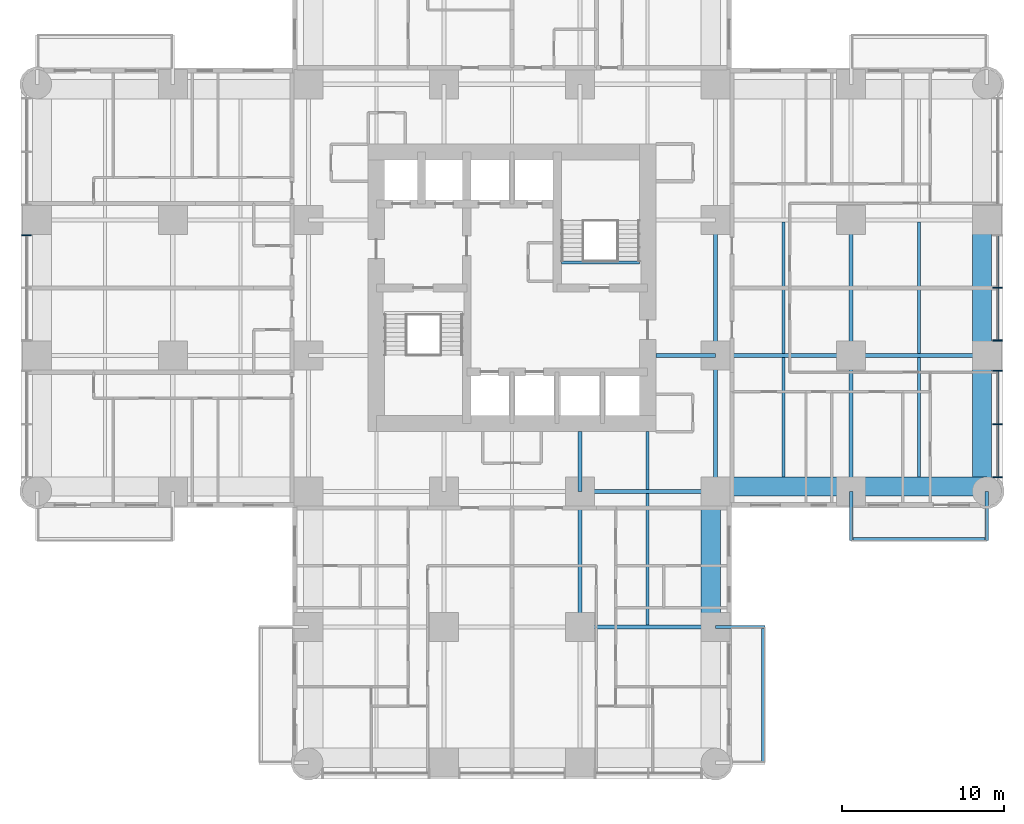
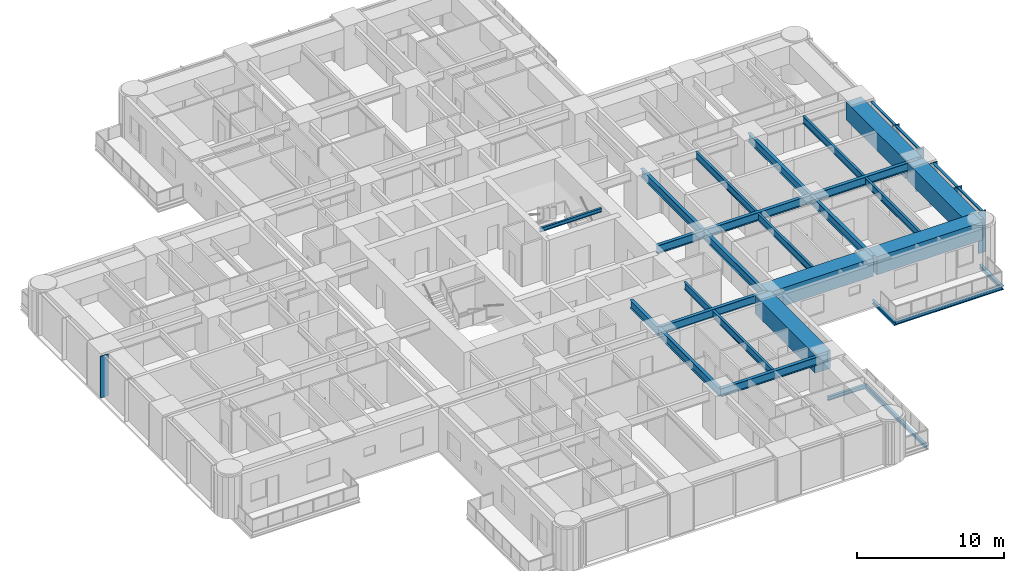
# One storey, part 3 of 17: 28 beams, 10 members, 2 elements without a shape of their own.
"""IFC4 building model written with IfcOpenShell, lengths in metres."""

from ifc_helpers import new_model, si_unit, direction, frame, origin, origin_2d, place, context, subcontext, project, spatial, rectangle, i_section, extrude, material, material_profile, profile_set, type_object, element, aggregate, save


model = new_model("IFC4")

# Units and contexts
model_context = context("Model", 3, precision=1e-05, world=origin(), true_north=direction((0.0, 1.0)))
body_context = subcontext(model_context, "Body", "Model", "MODEL_VIEW")
ifc_project = project(units=[si_unit("LENGTHUNIT", "METRE"), si_unit("AREAUNIT", "SQUARE_METRE"), si_unit("VOLUMEUNIT", "CUBIC_METRE"), si_unit("PLANEANGLEUNIT", "RADIAN"), si_unit("MASSUNIT", "GRAM", prefix="KILO")], contexts=[model_context])

# Site, building, storey
site_placement = place(None, origin())
site = spatial("IfcSite", under=ifc_project, at=site_placement, CompositionType="ELEMENT")
building_placement = place(site_placement, origin())
building = spatial("IfcBuilding", under=site, at=building_placement, Name="Torre Alcanfor", CompositionType="ELEMENT")
storey_placement = place(building_placement, frame((0.0, 0.0, 66.89990234375)))
storey = spatial("IfcBuildingStorey", under=building, at=storey_placement, Name="L16", CompositionType="ELEMENT", Elevation=66.89990234375)

# Beams
ifc_material_1 = material(Name="Steel ASTM A992 Grade 50", Category="steel")
ifc_material_profile_1 = material_profile(ifc_material_1, i_section(OverallWidth=0.205322265625, OverallDepth=0.309814453125, WebThickness=0.00927734375, FlangeThickness=0.016357421875, at=origin_2d()), Name="W12x50")
ifc_profile_set_1 = profile_set([ifc_material_profile_1], Name="Steel ASTM A992 Grade 50")
beam_type_1 = type_object("IfcBeamType", Name="Balcony cantilever beam W12x50", PredefinedType="BEAM", material=ifc_profile_set_1)
for number, where, z_axis, x_axis, name in (
    (1, (50.39990234375, 16.800048828125, -0.354736328125), (0.0, -1.0, 0.0), (1.0, 0.0, 0.0), "Balcony cantilever beam L16-E2 1"),
    (2, (58.800048828125, 16.800048828125, -0.354736328125), (0.0, -1.0, 0.0), (1.0, 0.0, 0.0), "Balcony cantilever beam L16-E2 2"),
    (3, (42.0, 8.39990234375, -0.354736328125), (1.0, 0.0, 0.0), (0.0, 1.0, 0.0), "Balcony cantilever beam L16-S1 1"),
):
    element("IfcBeam", number, at=place(storey_placement, frame(where, z_axis=z_axis, x_axis=x_axis)), inside=storey, type_object=beam_type_1, Name=name, PredefinedType="BEAM", context=body_context, shape_type="SweptSolid", body=[
        extrude(i_section(OverallWidth=0.205322265625, OverallDepth=0.309814453125, WebThickness=0.00927734375, FlangeThickness=0.016357421875, at=origin_2d()), origin(), (0.0, 0.0, 1.0), 3.050048828125),
    ])
ifc_material_2 = material(Name="Steel ASTM A992 Grade 50", Category="steel")
ifc_material_profile_2 = material_profile(ifc_material_2, i_section(OverallWidth=0.203369140625, OverallDepth=0.30224609375, WebThickness=0.007568359375, FlangeThickness=0.01318359375, at=origin_2d()), Name="W12x40")
ifc_profile_set_2 = profile_set([ifc_material_profile_2], Name="Steel ASTM A992 Grade 50")
beam_type_2 = type_object("IfcBeamType", Name="Balcony edge trimmer W12x40", PredefinedType="BEAM", material=ifc_profile_set_2)
beam_1_placement = place(storey_placement, frame((50.39990234375, 13.851806640625, -0.35107421875), z_axis=(1.0, 0.0, 0.0), x_axis=(0.0, 1.0, 0.0)))
element("IfcBeam", 4, at=beam_1_placement, inside=storey, type_object=beam_type_2, Name="Balcony edge trimmer L16-E2", PredefinedType="BEAM", context=body_context, shape_type="SweptSolid", body=[
    extrude(i_section(OverallWidth=0.203369140625, OverallDepth=0.30224609375, WebThickness=0.007568359375, FlangeThickness=0.01318359375, at=origin_2d()), origin(), (0.0, 0.0, 1.0), 8.400146484375),
])
beam_2_placement = place(storey_placement, frame((44.9482421875, 8.39990234375, -0.35107421875), z_axis=(0.0, -1.0, 0.0), x_axis=(1.0, 0.0, 0.0)))
element("IfcBeam", 5, at=beam_2_placement, inside=storey, type_object=beam_type_2, Name="Balcony edge trimmer L16-S1", PredefinedType="BEAM", context=body_context, shape_type="SweptSolid", body=[
    extrude(i_section(OverallWidth=0.203369140625, OverallDepth=0.30224609375, WebThickness=0.007568359375, FlangeThickness=0.01318359375, at=origin_2d()), origin(), (0.0, 0.0, 1.0), 8.39990234375),
])

# Curtain wall, member
ifc_material_3 = material(Name="Aluminium and glass", Category="aluminium")
curtain_wall_type = type_object("IfcCurtainWallType", Name="CW-A unitised apartment glazing with vertical FIN", PredefinedType="NOTDEFINED", material=ifc_material_3)
curtain_wall_1_placement = place(storey_placement, origin())
curtain_wall_1 = element("IfcCurtainWall", 6, at=curtain_wall_1_placement, inside=storey, type_object=curtain_wall_type, Name="Curtain wall CW-A L16 2", PredefinedType="NOTDEFINED")
ifc_material_4 = material(Name="Bronze anodised aluminium", Category="aluminium")
ifc_material_profile_3 = material_profile(ifc_material_4, rectangle(XDim=0.60009765625, YDim=0.06494140625, at=origin_2d()), Name="CW-A mullion 65x600")
ifc_profile_set_3 = profile_set([ifc_material_profile_3], Name="Bronze anodised aluminium")
member_type_1 = type_object("IfcMemberType", Name="CW-A mullion with vertical FIN 65x600", PredefinedType="MULLION", material=ifc_profile_set_3)
member_1_placement = place(storey_placement, frame((-0.64990234375, 32.66259765625, 0.0), z_axis=(0.0, 0.0, 1.0), x_axis=(1.0, 0.0, 0.0)))
member_1 = element("IfcMember", 7, at=member_1_placement, type_object=member_type_1, Name="CW-A mullion 2.1", PredefinedType="MULLION", context=body_context, shape_type="SweptSolid", body=[
    extrude(rectangle(XDim=0.60009765625, YDim=0.06494140625, at=origin_2d()), origin(), (0.0, 0.0, 1.0), 3.4501953125),
])
aggregate(curtain_wall_1, [member_1])

# Curtain wall, members
curtain_wall_2_placement = place(storey_placement, origin())
curtain_wall_2 = element("IfcCurtainWall", 8, at=curtain_wall_2_placement, inside=storey, type_object=curtain_wall_type, Name="Curtain wall CW-A L16 8", PredefinedType="NOTDEFINED")
member_2_placement = place(storey_placement, frame((59.449951171875, 17.6669921875, 0.0), z_axis=(0.0, 0.0, 1.0), x_axis=(-1.0, 0.0, 0.0)))
member_2 = element("IfcMember", 9, at=member_2_placement, type_object=member_type_1, Name="CW-A mullion 1.1", PredefinedType="MULLION", context=body_context, shape_type="SweptSolid", body=[
    extrude(rectangle(XDim=0.60009765625, YDim=0.06494140625, at=origin_2d()), origin(), (0.0, 0.0, 1.0), 3.4501953125),
])
member_3_placement = place(storey_placement, frame((59.449951171875, 20.96484375, 0.0), z_axis=(0.0, 0.0, 1.0), x_axis=(-1.0, 0.0, 0.0)))
member_3 = element("IfcMember", 10, at=member_3_placement, type_object=member_type_1, Name="CW-A mullion 1.2", PredefinedType="MULLION", context=body_context, shape_type="SweptSolid", body=[
    extrude(rectangle(XDim=0.60009765625, YDim=0.06494140625, at=origin_2d()), origin(), (0.0, 0.0, 1.0), 3.4501953125),
])
member_4_placement = place(storey_placement, frame((59.449951171875, 24.262451171875, 0.0), z_axis=(0.0, 0.0, 1.0), x_axis=(-1.0, 0.0, 0.0)))
member_4 = element("IfcMember", 11, at=member_4_placement, type_object=member_type_1, Name="CW-A mullion 1.3", PredefinedType="MULLION", context=body_context, shape_type="SweptSolid", body=[
    extrude(rectangle(XDim=0.60009765625, YDim=0.06494140625, at=origin_2d()), origin(), (0.0, 0.0, 1.0), 3.4501953125),
])
member_5_placement = place(storey_placement, frame((59.449951171875, 26.137451171875, 0.0), z_axis=(0.0, 0.0, 1.0), x_axis=(-1.0, 0.0, 0.0)))
member_5 = element("IfcMember", 12, at=member_5_placement, type_object=member_type_1, Name="CW-A mullion 2.1", PredefinedType="MULLION", context=body_context, shape_type="SweptSolid", body=[
    extrude(rectangle(XDim=0.60009765625, YDim=0.06494140625, at=origin_2d()), origin(), (0.0, 0.0, 1.0), 3.4501953125),
])
member_6_placement = place(storey_placement, frame((59.449951171875, 29.39990234375, 0.0), z_axis=(0.0, 0.0, 1.0), x_axis=(-1.0, 0.0, 0.0)))
member_6 = element("IfcMember", 13, at=member_6_placement, type_object=member_type_1, Name="CW-A mullion 2.2", PredefinedType="MULLION", context=body_context, shape_type="SweptSolid", body=[
    extrude(rectangle(XDim=0.60009765625, YDim=0.06494140625, at=origin_2d()), origin(), (0.0, 0.0, 1.0), 3.4501953125),
])
ifc_material_5 = material(Name="Extruded aluminium", Category="aluminium")
ifc_material_profile_4 = material_profile(ifc_material_5, rectangle(XDim=0.199951171875, YDim=0.06494140625, at=origin_2d()), Name="CW-A transom 200x65")
ifc_profile_set_4 = profile_set([ifc_material_profile_4], Name="Extruded aluminium")
member_type_2 = type_object("IfcMemberType", Name="CW-A transom 65x200", PredefinedType="USERDEFINED", material=ifc_profile_set_4)
member_7_placement = place(storey_placement, frame((59.449951171875, 17.699462890625, 3.41748046875), z_axis=(0.0, 1.0, 0.0), x_axis=(-1.0, 0.0, 0.0)))
member_7 = element("IfcMember", 14, at=member_7_placement, type_object=member_type_2, Name="CW-A transom 1.1.2", ObjectType="TRANSOM", PredefinedType="USERDEFINED", context=body_context, shape_type="SweptSolid", body=[
    extrude(rectangle(XDim=0.199951171875, YDim=0.06494140625, at=origin_2d()), origin(), (0.0, 0.0, 1.0), 3.232666015625),
])
member_8_placement = place(storey_placement, frame((59.449951171875, 20.997314453125, 3.41748046875), z_axis=(0.0, 1.0, 0.0), x_axis=(-1.0, 0.0, 0.0)))
member_8 = element("IfcMember", 15, at=member_8_placement, type_object=member_type_2, Name="CW-A transom 1.2.2", ObjectType="TRANSOM", PredefinedType="USERDEFINED", context=body_context, shape_type="SweptSolid", body=[
    extrude(rectangle(XDim=0.199951171875, YDim=0.06494140625, at=origin_2d()), origin(), (0.0, 0.0, 1.0), 3.232666015625),
])
member_9_placement = place(storey_placement, frame((59.449951171875, 26.169921875, 3.41748046875), z_axis=(0.0, 1.0, 0.0), x_axis=(-1.0, 0.0, 0.0)))
member_9 = element("IfcMember", 16, at=member_9_placement, type_object=member_type_2, Name="CW-A transom 2.1.2", ObjectType="TRANSOM", PredefinedType="USERDEFINED", context=body_context, shape_type="SweptSolid", body=[
    extrude(rectangle(XDim=0.199951171875, YDim=0.06494140625, at=origin_2d()), origin(), (0.0, 0.0, 1.0), 3.197509765625),
])
member_10_placement = place(storey_placement, frame((59.449951171875, 29.4326171875, 3.41748046875), z_axis=(0.0, 1.0, 0.0), x_axis=(-1.0, 0.0, 0.0)))
member_10 = element("IfcMember", 17, at=member_10_placement, type_object=member_type_2, Name="CW-A transom 2.2.2", ObjectType="TRANSOM", PredefinedType="USERDEFINED", context=body_context, shape_type="SweptSolid", body=[
    extrude(rectangle(XDim=0.199951171875, YDim=0.06494140625, at=origin_2d()), origin(), (0.0, 0.0, 1.0), 3.197265625),
])
aggregate(curtain_wall_2, [member_2, member_3, member_4, member_7, member_8, member_5, member_6, member_9, member_10])

# Beams
ifc_material_6 = material(Name="Steel ASTM A992 Grade 50", Category="steel")
ifc_material_profile_5 = material_profile(ifc_material_6, i_section(OverallWidth=0.25390625, OverallDepth=0.683349609375, WebThickness=0.012451171875, FlangeThickness=0.01904296875, at=origin_2d()), Name="W27x94")
ifc_profile_set_5 = profile_set([ifc_material_profile_5], Name="Steel ASTM A992 Grade 50")
beam_type_3 = type_object("IfcBeamType", Name="Girder W27x94", PredefinedType="BEAM", material=ifc_profile_set_5)
for number, where, z_axis, x_axis, name in (
    (18, (33.60009765625, 8.39990234375, 3.1083984375), (1.0, 0.0, 0.0), (0.0, 1.0, 0.0), "Beam 5D-6D under L17"),
    (19, (33.60009765625, 16.800048828125, 3.1083984375), (1.0, 0.0, 0.0), (0.0, 1.0, 0.0), "Beam 5E-6E under L17"),
    (20, (42.0, 25.199951171875, 3.1083984375), (1.0, 0.0, 0.0), (0.0, 1.0, 0.0), "Beam 6F-7F under L17"),
):
    element("IfcBeam", number, at=place(storey_placement, frame(where, z_axis=z_axis, x_axis=x_axis)), inside=storey, type_object=beam_type_3, Name=name, PredefinedType="BEAM", context=body_context, shape_type="SweptSolid", body=[
        extrude(i_section(OverallWidth=0.25390625, OverallDepth=0.683349609375, WebThickness=0.012451171875, FlangeThickness=0.01904296875, at=origin_2d()), origin(), (0.0, 0.0, 1.0), 8.39990234375),
    ])
for number, where, z_axis, x_axis, name in (
    (21, (50.39990234375, 25.199951171875, 3.1083984375), (1.0, 0.0, 0.0), (0.0, 1.0, 0.0), "Beam 7F-8F under L17"),
    (22, (33.60009765625, 8.39990234375, 3.1083984375), (0.0, 1.0, 0.0), (-1.0, 0.0, 0.0), "Beam 5D-5E under L17"),
):
    element("IfcBeam", number, at=place(storey_placement, frame(where, z_axis=z_axis, x_axis=x_axis)), inside=storey, type_object=beam_type_3, Name=name, PredefinedType="BEAM", context=body_context, shape_type="SweptSolid", body=[
        extrude(i_section(OverallWidth=0.25390625, OverallDepth=0.683349609375, WebThickness=0.012451171875, FlangeThickness=0.01904296875, at=origin_2d()), origin(), (0.0, 0.0, 1.0), 8.400146484375),
    ])
beam_3_placement = place(storey_placement, frame((42.0, 16.800048828125, 3.1083984375), z_axis=(0.0, 1.0, 0.0), x_axis=(-1.0, 0.0, 0.0)))
element("IfcBeam", 23, at=beam_3_placement, inside=storey, type_object=beam_type_3, Name="Beam 6E-6F under L17", PredefinedType="BEAM", context=body_context, shape_type="SweptSolid", body=[
    extrude(i_section(OverallWidth=0.25390625, OverallDepth=0.683349609375, WebThickness=0.012451171875, FlangeThickness=0.01904296875, at=origin_2d()), origin(), (0.0, 0.0, 1.0), 8.39990234375),
])
beam_4_placement = place(storey_placement, frame((42.0, 25.199951171875, 3.1083984375), z_axis=(0.0, 1.0, 0.0), x_axis=(-1.0, 0.0, 0.0)))
element("IfcBeam", 24, at=beam_4_placement, inside=storey, type_object=beam_type_3, Name="Beam 6F-6G under L17", PredefinedType="BEAM", context=body_context, shape_type="SweptSolid", body=[
    extrude(i_section(OverallWidth=0.25390625, OverallDepth=0.683349609375, WebThickness=0.012451171875, FlangeThickness=0.01904296875, at=origin_2d()), origin(), (0.0, 0.0, 1.0), 8.400146484375),
])
beam_5_placement = place(storey_placement, frame((50.39990234375, 16.800048828125, 3.1083984375), z_axis=(0.0, 1.0, 0.0), x_axis=(-1.0, 0.0, 0.0)))
element("IfcBeam", 25, at=beam_5_placement, inside=storey, type_object=beam_type_3, Name="Beam 7E-7F under L17", PredefinedType="BEAM", context=body_context, shape_type="SweptSolid", body=[
    extrude(i_section(OverallWidth=0.25390625, OverallDepth=0.683349609375, WebThickness=0.012451171875, FlangeThickness=0.01904296875, at=origin_2d()), origin(), (0.0, 0.0, 1.0), 8.39990234375),
])
beam_6_placement = place(storey_placement, frame((50.39990234375, 25.199951171875, 3.1083984375), z_axis=(0.0, 1.0, 0.0), x_axis=(-1.0, 0.0, 0.0)))
element("IfcBeam", 26, at=beam_6_placement, inside=storey, type_object=beam_type_3, Name="Beam 7F-7G under L17", PredefinedType="BEAM", context=body_context, shape_type="SweptSolid", body=[
    extrude(i_section(OverallWidth=0.25390625, OverallDepth=0.683349609375, WebThickness=0.012451171875, FlangeThickness=0.01904296875, at=origin_2d()), origin(), (0.0, 0.0, 1.0), 8.400146484375),
])
ifc_material_7 = material(Name="Steel ASTM A992 Grade 50", Category="steel")
ifc_material_profile_6 = material_profile(ifc_material_7, i_section(OverallWidth=0.25390625, OverallDepth=0.683349609375, WebThickness=0.012451171875, FlangeThickness=0.01904296875, at=origin_2d()), Name="W27x94")
ifc_profile_set_6 = profile_set([ifc_material_profile_6], Name="Steel ASTM A992 Grade 50")
beam_type_4 = type_object("IfcBeamType", Name="Girder, part bay W27x94", PredefinedType="BEAM", material=ifc_profile_set_6)
for number, where, z_axis, x_axis, name in (
    (27, (33.60009765625, 16.800048828125, 3.1083984375), (0.0, 1.0, 0.0), (-1.0, 0.0, 0.0), "Beam 5E-520_5 under L17"),
    (28, (42.0, 25.199951171875, 3.1083984375), (-1.0, 0.0, 0.0), (0.0, -1.0, 0.0), "Beam 6F-38_3F under L17"),
):
    element("IfcBeam", number, at=place(storey_placement, frame(where, z_axis=z_axis, x_axis=x_axis)), inside=storey, type_object=beam_type_4, Name=name, PredefinedType="BEAM", context=body_context, shape_type="SweptSolid", body=[
        extrude(i_section(OverallWidth=0.25390625, OverallDepth=0.683349609375, WebThickness=0.012451171875, FlangeThickness=0.01904296875, at=origin_2d()), origin(), (0.0, 0.0, 1.0), 3.699951171875),
    ])
ifc_material_8 = material(Name="Concrete f'c 70 MPa", Category="concrete")
ifc_material_profile_7 = material_profile(ifc_material_8, rectangle(XDim=1.199951171875, YDim=1.5, at=origin_2d()), Name="1200x1500")
ifc_profile_set_7 = profile_set([ifc_material_profile_7], Name="Concrete f'c 70 MPa")
beam_type_5 = type_object("IfcBeamType", Name="RC perimeter beam 1200x1500", PredefinedType="BEAM", material=ifc_profile_set_7)
beam_7_placement = place(storey_placement, frame((42.126953125, 17.10009765625, 2.7001953125), z_axis=(1.0, 0.0, 0.0), x_axis=(0.0, 1.0, 0.0)))
element("IfcBeam", 29, at=beam_7_placement, inside=storey, type_object=beam_type_5, Name="Beam 6E-7E under L17", PredefinedType="BEAM", context=body_context, shape_type="SweptSolid", body=[
    extrude(rectangle(XDim=1.199951171875, YDim=1.5, at=origin_2d()), origin(), (0.0, 0.0, 1.0), 8.14599609375),
])
beam_8_placement = place(storey_placement, frame((50.527099609375, 17.10009765625, 2.7001953125), z_axis=(1.0, 0.0, 0.0), x_axis=(0.0, 1.0, 0.0)))
element("IfcBeam", 30, at=beam_8_placement, inside=storey, type_object=beam_type_5, Name="Beam 7E-8E under L17", PredefinedType="BEAM", context=body_context, shape_type="SweptSolid", body=[
    extrude(rectangle(XDim=1.199951171875, YDim=1.5, at=origin_2d()), origin(), (0.0, 0.0, 1.0), 8.27294921875),
])
beam_9_placement = place(storey_placement, frame((41.699951171875, 8.527099609375, 2.7001953125), z_axis=(0.0, 1.0, 0.0), x_axis=(-1.0, 0.0, 0.0)))
element("IfcBeam", 31, at=beam_9_placement, inside=storey, type_object=beam_type_5, Name="Beam 6D-6E under L17", PredefinedType="BEAM", context=body_context, shape_type="SweptSolid", body=[
    extrude(rectangle(XDim=1.199951171875, YDim=1.5, at=origin_2d()), origin(), (0.0, 0.0, 1.0), 8.14599609375),
])
beam_10_placement = place(storey_placement, frame((58.5, 16.800048828125, 2.7001953125), z_axis=(0.0, 1.0, 0.0), x_axis=(-1.0, 0.0, 0.0)))
element("IfcBeam", 32, at=beam_10_placement, inside=storey, type_object=beam_type_5, Name="Beam 8E-8F under L17", PredefinedType="BEAM", context=body_context, shape_type="SweptSolid", body=[
    extrude(rectangle(XDim=1.199951171875, YDim=1.5, at=origin_2d()), origin(), (0.0, 0.0, 1.0), 8.27294921875),
])
beam_11_placement = place(storey_placement, frame((58.5, 25.326904296875, 2.7001953125), z_axis=(0.0, 1.0, 0.0), x_axis=(-1.0, 0.0, 0.0)))
element("IfcBeam", 33, at=beam_11_placement, inside=storey, type_object=beam_type_5, Name="Beam 8F-8G under L17", PredefinedType="BEAM", context=body_context, shape_type="SweptSolid", body=[
    extrude(rectangle(XDim=1.199951171875, YDim=1.5, at=origin_2d()), origin(), (0.0, 0.0, 1.0), 8.14599609375),
])
ifc_material_9 = material(Name="Steel ASTM A992 Grade 50", Category="steel")
ifc_material_profile_8 = material_profile(ifc_material_9, i_section(OverallWidth=0.1787109375, OverallDepth=0.60205078125, WebThickness=0.010986328125, FlangeThickness=0.014892578125, at=origin_2d()), Name="W24x62")
ifc_profile_set_8 = profile_set([ifc_material_profile_8], Name="Steel ASTM A992 Grade 50")
beam_type_6 = type_object("IfcBeamType", Name="Secondary beam W24x62", PredefinedType="BEAM", material=ifc_profile_set_8)
beam_12_placement = place(storey_placement, frame((37.800048828125, 8.527099609375, 3.149169921875), z_axis=(0.0, 1.0, 0.0), x_axis=(-1.0, 0.0, 0.0)))
element("IfcBeam", 34, at=beam_12_placement, inside=storey, type_object=beam_type_6, Name="Beam 37_8D-37_8E under L17", PredefinedType="BEAM", context=body_context, shape_type="SweptSolid", body=[
    extrude(i_section(OverallWidth=0.1787109375, OverallDepth=0.60205078125, WebThickness=0.010986328125, FlangeThickness=0.014892578125, at=origin_2d()), origin(), (0.0, 0.0, 1.0), 8.14599609375),
])
beam_13_placement = place(storey_placement, frame((46.199951171875, 17.699951171875, 3.149169921875), z_axis=(0.0, 1.0, 0.0), x_axis=(-1.0, 0.0, 0.0)))
element("IfcBeam", 35, at=beam_13_placement, inside=storey, type_object=beam_type_6, Name="Beam 46_2E-46_2F under L17", PredefinedType="BEAM", context=body_context, shape_type="SweptSolid", body=[
    extrude(i_section(OverallWidth=0.1787109375, OverallDepth=0.60205078125, WebThickness=0.010986328125, FlangeThickness=0.014892578125, at=origin_2d()), origin(), (0.0, 0.0, 1.0), 7.373046875),
])
beam_14_placement = place(storey_placement, frame((46.199951171875, 25.326904296875, 3.149169921875), z_axis=(0.0, 1.0, 0.0), x_axis=(-1.0, 0.0, 0.0)))
element("IfcBeam", 36, at=beam_14_placement, inside=storey, type_object=beam_type_6, Name="Beam 46_2F-46_2G under L17", PredefinedType="BEAM", context=body_context, shape_type="SweptSolid", body=[
    extrude(i_section(OverallWidth=0.1787109375, OverallDepth=0.60205078125, WebThickness=0.010986328125, FlangeThickness=0.014892578125, at=origin_2d()), origin(), (0.0, 0.0, 1.0), 8.14599609375),
])
beam_15_placement = place(storey_placement, frame((54.60009765625, 17.699951171875, 3.149169921875), z_axis=(0.0, 1.0, 0.0), x_axis=(-1.0, 0.0, 0.0)))
element("IfcBeam", 37, at=beam_15_placement, inside=storey, type_object=beam_type_6, Name="Beam 54_6E-54_6F under L17", PredefinedType="BEAM", context=body_context, shape_type="SweptSolid", body=[
    extrude(i_section(OverallWidth=0.1787109375, OverallDepth=0.60205078125, WebThickness=0.010986328125, FlangeThickness=0.014892578125, at=origin_2d()), origin(), (0.0, 0.0, 1.0), 7.373046875),
])
beam_16_placement = place(storey_placement, frame((54.60009765625, 25.326904296875, 3.149169921875), z_axis=(0.0, 1.0, 0.0), x_axis=(-1.0, 0.0, 0.0)))
element("IfcBeam", 38, at=beam_16_placement, inside=storey, type_object=beam_type_6, Name="Beam 54_6F-54_6G under L17", PredefinedType="BEAM", context=body_context, shape_type="SweptSolid", body=[
    extrude(i_section(OverallWidth=0.1787109375, OverallDepth=0.60205078125, WebThickness=0.010986328125, FlangeThickness=0.014892578125, at=origin_2d()), origin(), (0.0, 0.0, 1.0), 8.14599609375),
])
ifc_material_10 = material(Name="Steel ASTM A992 Grade 50", Category="steel")
ifc_material_profile_9 = material_profile(ifc_material_10, i_section(OverallWidth=0.1787109375, OverallDepth=0.60205078125, WebThickness=0.010986328125, FlangeThickness=0.014892578125, at=origin_2d()), Name="W24x62")
ifc_profile_set_9 = profile_set([ifc_material_profile_9], Name="Steel ASTM A992 Grade 50")
beam_type_7 = type_object("IfcBeamType", Name="Secondary beam, part bay W24x62", PredefinedType="BEAM", material=ifc_profile_set_9)
beam_17_placement = place(storey_placement, frame((37.800048828125, 16.927001953125, 3.149169921875), z_axis=(0.0, 1.0, 0.0), x_axis=(-1.0, 0.0, 0.0)))
element("IfcBeam", 39, at=beam_17_placement, inside=storey, type_object=beam_type_7, Name="Beam 37_8E-37_820_5 under L17", PredefinedType="BEAM", context=body_context, shape_type="SweptSolid", body=[
    extrude(i_section(OverallWidth=0.1787109375, OverallDepth=0.60205078125, WebThickness=0.010986328125, FlangeThickness=0.014892578125, at=origin_2d()), origin(), (0.0, 0.0, 1.0), 3.572998046875),
])
ifc_material_11 = material(Name="Steel ASTM A992 Grade 50", Category="steel")
ifc_material_profile_10 = material_profile(ifc_material_11, i_section(OverallWidth=0.164794921875, OverallDepth=0.309814453125, WebThickness=0.005859375, FlangeThickness=0.009765625, at=origin_2d()), Name="W12x26")
ifc_profile_set_10 = profile_set([ifc_material_profile_10], Name="Steel ASTM A992 Grade 50")
beam_type_8 = type_object("IfcBeamType", Name="Stair landing beam W12x26", PredefinedType="BEAM", material=ifc_profile_set_10)
beam_18_placement = place(storey_placement, frame((32.449951171875, 30.962646484375, 3.2451171875), z_axis=(1.0, 0.0, 0.0), x_axis=(0.0, 1.0, 0.0)))
element("IfcBeam", 40, at=beam_18_placement, inside=storey, type_object=beam_type_8, Name="Landing trimmer S2 L17", PredefinedType="BEAM", context=body_context, shape_type="SweptSolid", body=[
    extrude(i_section(OverallWidth=0.164794921875, OverallDepth=0.309814453125, WebThickness=0.005859375, FlangeThickness=0.009765625, at=origin_2d()), origin(), (0.0, 0.0, 1.0), 4.85009765625),
])

save(model, "model.ifc")
